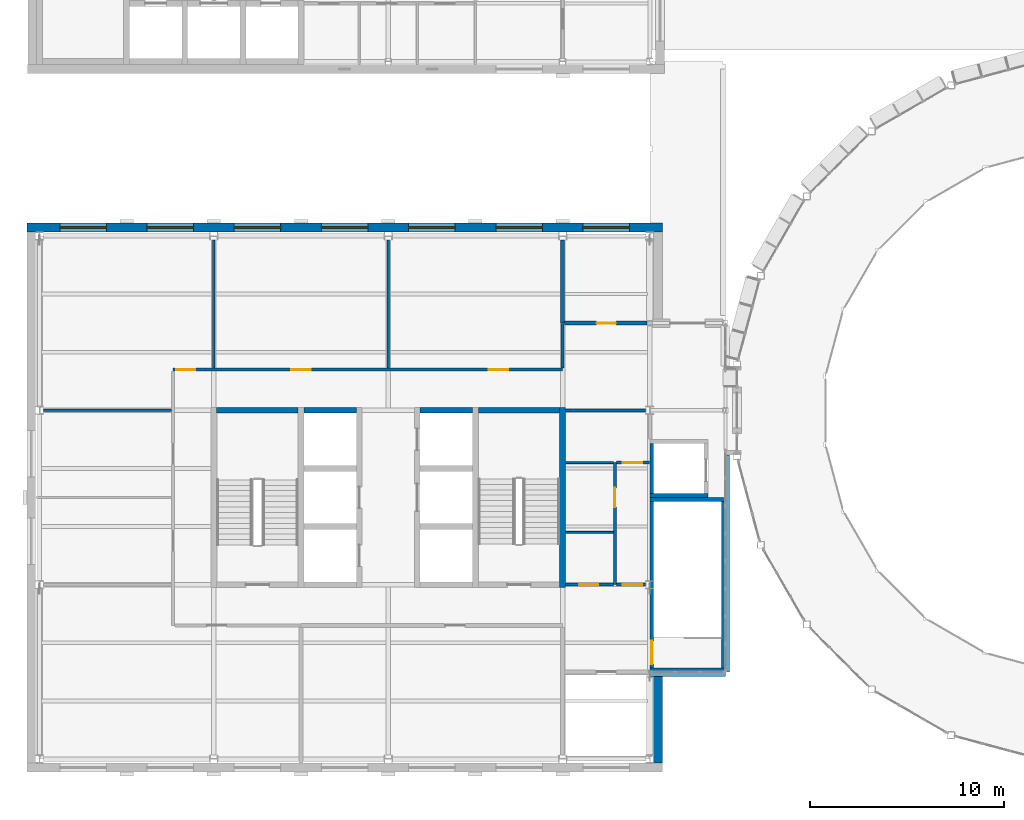
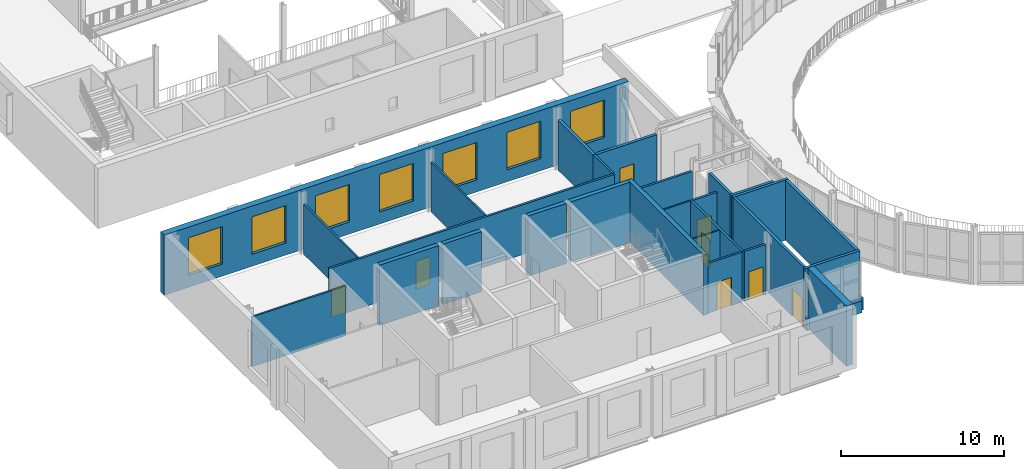
# One storey, part 41 of 74: 29 walls, 9 doors, 7 windows, 16 openings.
"""IFC4 building model written with IfcOpenShell, lengths in metres."""

from ifc_helpers import new_model, si_unit, direction, frame, frame_2d, origin, place, context, subcontext, project, spatial, rectangle, extrude, material, layer, layer_set, type_object, element, fill, save


model = new_model("IFC4")

# Units and contexts
model_context = context("Model", 3, precision=1e-05, world=origin(), true_north=direction((0.0, 1.0)))
body_context = subcontext(model_context, "Body", "Model", "MODEL_VIEW")
ifc_project = project(units=[si_unit("LENGTHUNIT", "METRE"), si_unit("AREAUNIT", "SQUARE_METRE"), si_unit("VOLUMEUNIT", "CUBIC_METRE"), si_unit("PLANEANGLEUNIT", "RADIAN"), si_unit("MASSUNIT", "GRAM", prefix="KILO")], contexts=[model_context])

# Site, building, storey
site_placement = place(None, origin())
site = spatial("IfcSite", under=ifc_project, at=site_placement, CompositionType="ELEMENT")
building_placement = place(site_placement, origin())
building = spatial("IfcBuilding", under=site, at=building_placement, Name="Hortulan Conservatory and Botanical Research Centre", CompositionType="ELEMENT")
storey_placement = place(building_placement, frame((0.0, 0.0, 6.0)))
storey = spatial("IfcBuildingStorey", under=building, at=storey_placement, Name="L01", CompositionType="ELEMENT", Elevation=6.0)

# Wall
ifc_material_1 = material(Name="Fire-rated plasterboard on steel studs", Category="steel")
ifc_layer_1 = layer(ifc_material_1, 0.199951171875)
ifc_layer_set_1 = layer_set([ifc_layer_1], Name="Compartment Partition 200")
wall_type_1 = type_object("IfcWallType", Name="Compartment Partition 200", PredefinedType="PARTITIONING", material=ifc_layer_set_1)
wall_1_placement = place(storey_placement, frame((27.0, 22.5, 0.0), z_axis=(0.0, 0.0, 1.0), x_axis=(0.0, 1.0, 0.0)))
element("IfcWall", 1, at=wall_1_placement, inside=storey, type_object=wall_type_1, Name="Store wall", PredefinedType="PARTITIONING", context=body_context, shape_type="SweptSolid", body=[
    extrude(rectangle(XDim=4.279052734375, YDim=0.199951171875, at=frame_2d((2.1396484375, 0.0))), origin(), (0.0, 0.0, 1.0), 3.718017578125),
])

# Wall, opening, door
wall_2_placement = place(storey_placement, frame((27.110107421875, 22.5, 0.0), z_axis=(0.0, 0.0, 1.0), x_axis=(1.0, 0.0, 0.0)))
wall_2 = element("IfcWall", 2, at=wall_2_placement, inside=storey, type_object=wall_type_1, Name="Store wall", PredefinedType="PARTITIONING", context=body_context, shape_type="SweptSolid", body=[
    extrude(rectangle(XDim=4.2548828125, YDim=0.199951171875, at=frame_2d((2.12744140625, 0.0))), origin(), (0.0, 0.0, 1.0), 3.718017578125),
])
opening_1_placement = place(wall_2_placement, frame((1.639892578125, 0.0, 0.0)))
opening_1 = element("IfcOpeningElement", 3, at=opening_1_placement, cuts=wall_2, Name="Opening DT6", PredefinedType="OPENING", context=body_context, shape_type="SweptSolid", body=[
    extrude(rectangle(XDim=1.0, YDim=2.10009765625, at=frame_2d((0.5, 1.050048828125))), frame((0.0, 0.10986328125, 0.0), z_axis=(0.0, -1.0, 0.0), x_axis=(1.0, 0.0, 0.0)), (0.0, 0.0, 1.0), 0.219970703125),
])
ifc_material_2 = material(Name="Steel door leaf, insulated", Category="steel")
door_type_1 = type_object("IfcDoorType", Name="Fire Door 1000x2100 FRL -/120/30", OperationType="NOTDEFINED", PredefinedType="DOOR", material=ifc_material_2)
door_1_placement = place(opening_1_placement, origin())
door_1 = element("IfcDoor", 4, at=door_1_placement, inside=storey, type_object=door_type_1, Name="Door DT6 Quarantine and Freezer Room", OperationType="SINGLE_SWING_RIGHT", OverallHeight=2.10009765625, OverallWidth=1.0, PredefinedType="DOOR", context=body_context, shape_type="SweptSolid", body=[
    extrude(rectangle(XDim=1.0, YDim=2.10009765625, at=frame_2d((0.5, 1.050048828125))), frame((0.0, 0.02490234375, 0.0), z_axis=(0.0, -1.0, 0.0), x_axis=(1.0, 0.0, 0.0)), (0.0, 0.0, 1.0), 0.050048828125),
])
fill(opening_1, door_1)

# Walls
ifc_material_3 = material(Name="Concrete N50 (50 MPa, AS 3600)", Category="concrete")
ifc_layer_2 = layer(ifc_material_3, 0.300048828125)
ifc_layer_set_2 = layer_set([ifc_layer_2], Name="Core Wall 300 N50 FRL 240/120/120")
wall_type_2 = type_object("IfcWallType", Name="Core Wall 300 N50 FRL 240/120/120", PredefinedType="SHEAR", material=ifc_layer_set_2)
wall_3_placement = place(storey_placement, frame((27.0, 8.85009765625, 0.0), z_axis=(0.0, 0.0, 1.0), x_axis=(0.0, 1.0, 0.0)))
element("IfcWall", 5, at=wall_3_placement, inside=storey, type_object=wall_type_2, Name="Reinforced concrete shaft wall", PredefinedType="SHEAR", context=body_context, shape_type="SweptSolid", body=[
    extrude(rectangle(XDim=9.2998046875, YDim=0.300048828125, at=frame_2d((4.64990234375, 0.0))), origin(), (0.0, 0.0, 1.0), 4.5),
])
wall_4_placement = place(storey_placement, frame((9.14990234375, 18.0, 0.0), z_axis=(0.0, 0.0, 1.0), x_axis=(1.0, 0.0, 0.0)))
element("IfcWall", 6, at=wall_4_placement, inside=storey, type_object=wall_type_2, Name="Reinforced concrete shaft wall", PredefinedType="SHEAR", context=body_context, shape_type="SweptSolid", body=[
    extrude(rectangle(XDim=4.2001953125, YDim=0.300048828125, at=frame_2d((2.10009765625, 0.0))), origin(), (0.0, 0.0, 1.0), 4.5),
])
for number, where, z_axis, x_axis, name in (
    (7, (13.64990234375, 18.0, 0.0), (0.0, 0.0, 1.0), (1.0, 0.0, 0.0), "Reinforced concrete shaft wall"),
    (8, (19.64990234375, 18.0, 0.0), (0.0, 0.0, 1.0), (1.0, 0.0, 0.0), "Reinforced concrete shaft wall"),
):
    element("IfcWall", number, at=place(storey_placement, frame(where, z_axis=z_axis, x_axis=x_axis)), inside=storey, type_object=wall_type_2, Name=name, PredefinedType="SHEAR", context=body_context, shape_type="SweptSolid", body=[
        extrude(rectangle(XDim=2.7001953125, YDim=0.300048828125, at=frame_2d((1.35009765625, 0.0))), origin(), (0.0, 0.0, 1.0), 4.5),
    ])
wall_5_placement = place(storey_placement, frame((22.64990234375, 18.0, 0.0), z_axis=(0.0, 0.0, 1.0), x_axis=(1.0, 0.0, 0.0)))
element("IfcWall", 9, at=wall_5_placement, inside=storey, type_object=wall_type_2, Name="Reinforced concrete shaft wall", PredefinedType="SHEAR", context=body_context, shape_type="SweptSolid", body=[
    extrude(rectangle(XDim=4.2001953125, YDim=0.300048828125, at=frame_2d((2.10009765625, 0.0))), origin(), (0.0, 0.0, 1.0), 4.5),
])
ifc_material_4 = material(Name="Plasterboard on steel studs", Category="steel")
ifc_layer_3 = layer(ifc_material_4, 0.14990234375)
ifc_layer_set_3 = layer_set([ifc_layer_3], Name="Corridor Partition 150")
wall_type_3 = type_object("IfcWallType", Name="Corridor Partition 150", PredefinedType="PARTITIONING", material=ifc_layer_set_3)
wall_6_placement = place(storey_placement, frame((27.0, 20.18505859375, 0.0), z_axis=(0.0, 0.0, 1.0), x_axis=(0.0, 1.0, 0.0)))
element("IfcWall", 10, at=wall_6_placement, inside=storey, type_object=wall_type_3, Name="Corridor partition", PredefinedType="PARTITIONING", context=body_context, shape_type="SweptSolid", body=[
    extrude(rectangle(XDim=2.304931640625, YDim=0.14990234375, at=frame_2d((1.15234375, 0.0))), origin(), (0.0, 0.0, 1.0), 3.718017578125),
])

# Wall, opening, door
wall_7_placement = place(storey_placement, frame((27.159912109375, 9.0, 0.0), z_axis=(0.0, 0.0, 1.0), x_axis=(1.0, 0.0, 0.0)))
wall_7 = element("IfcWall", 11, at=wall_7_placement, inside=storey, type_object=wall_type_3, Name="Corridor partition", PredefinedType="PARTITIONING", context=body_context, shape_type="SweptSolid", body=[
    extrude(rectangle(XDim=2.455078125, YDim=0.14990234375, at=frame_2d((1.2275390625, 0.0))), origin(), (0.0, 0.0, 1.0), 3.718017578125),
])
opening_2_placement = place(wall_7_placement, frame((0.68994140625, 0.0, 0.0)))
opening_2 = element("IfcOpeningElement", 12, at=opening_2_placement, cuts=wall_7, Name="Opening DT1", PredefinedType="OPENING", context=body_context, shape_type="SweptSolid", body=[
    extrude(rectangle(XDim=1.0, YDim=2.10009765625, at=frame_2d((0.5, 1.050048828125))), frame((0.0, 0.0849609375, 0.0), z_axis=(0.0, -1.0, 0.0), x_axis=(1.0, 0.0, 0.0)), (0.0, 0.0, 1.0), 0.169921875),
])
ifc_material_5 = material(Name="Timber door leaf in timber frame", Category="wood")
door_type_2 = type_object("IfcDoorType", Name="Single Door 1000x2100", OperationType="NOTDEFINED", PredefinedType="DOOR", material=ifc_material_5)
door_2_placement = place(opening_2_placement, origin())
door_2 = element("IfcDoor", 13, at=door_2_placement, inside=storey, type_object=door_type_2, Name="Door DT1 Accessible WC", OperationType="SINGLE_SWING_RIGHT", OverallHeight=2.10009765625, OverallWidth=1.0, PredefinedType="DOOR", context=body_context, shape_type="SweptSolid", body=[
    extrude(rectangle(XDim=1.0, YDim=2.10009765625, at=frame_2d((0.5, 1.050048828125))), frame((0.0, 0.02490234375, 0.0), z_axis=(0.0, -1.0, 0.0), x_axis=(1.0, 0.0, 0.0)), (0.0, 0.0, 1.0), 0.050048828125),
])
fill(opening_2, door_2)

# Wall
wall_8_placement = place(storey_placement, frame((27.159912109375, 18.0, 0.0), z_axis=(0.0, 0.0, 1.0), x_axis=(1.0, 0.0, 0.0)))
element("IfcWall", 14, at=wall_8_placement, inside=storey, type_object=wall_type_3, Name="Corridor partition", PredefinedType="PARTITIONING", context=body_context, shape_type="SweptSolid", body=[
    extrude(rectangle(XDim=4.130126953125, YDim=0.14990234375, at=frame_2d((2.06494140625, 0.0))), origin(), (0.0, 0.0, 1.0), 3.718017578125),
])

# Wall, openings, doors
wall_9_placement = place(storey_placement, frame((6.89990234375, 20.10009765625, 0.0), z_axis=(0.0, 0.0, 1.0), x_axis=(1.0, 0.0, 0.0)))
wall_9 = element("IfcWall", 15, at=wall_9_placement, inside=storey, type_object=wall_type_3, Name="Corridor partition", PredefinedType="PARTITIONING", context=body_context, shape_type="SweptSolid", body=[
    extrude(rectangle(XDim=20.10009765625, YDim=0.14990234375, at=frame_2d((10.050048828125, 0.0))), origin(), (0.0, 0.0, 1.0), 3.718017578125),
])
opening_3_placement = place(wall_9_placement, frame((0.14990234375, 0.0, 0.0)))
opening_3 = element("IfcOpeningElement", 16, at=opening_3_placement, cuts=wall_9, Name="Opening DT1", PredefinedType="OPENING", context=body_context, shape_type="SweptSolid", body=[
    extrude(rectangle(XDim=1.0, YDim=2.10009765625, at=frame_2d((0.5, 1.050048828125))), frame((0.0, 0.0849609375, 0.0), z_axis=(0.0, -1.0, 0.0), x_axis=(1.0, 0.0, 0.0)), (0.0, 0.0, 1.0), 0.169921875),
])
opening_4_placement = place(wall_9_placement, frame((6.10009765625, 0.0, 0.0)))
opening_4 = element("IfcOpeningElement", 17, at=opening_4_placement, cuts=wall_9, Name="Opening DT1", PredefinedType="OPENING", context=body_context, shape_type="SweptSolid", body=[
    extrude(rectangle(XDim=1.0, YDim=2.10009765625, at=frame_2d((0.5, 1.050048828125))), frame((0.0, 0.0849609375, 0.0), z_axis=(0.0, -1.0, 0.0), x_axis=(1.0, 0.0, 0.0)), (0.0, 0.0, 1.0), 0.169921875),
])
opening_5_placement = place(wall_9_placement, frame((16.300048828125, 0.0, 0.0)))
opening_5 = element("IfcOpeningElement", 18, at=opening_5_placement, cuts=wall_9, Name="Opening DT1", PredefinedType="OPENING", context=body_context, shape_type="SweptSolid", body=[
    extrude(rectangle(XDim=1.0, YDim=2.10009765625, at=frame_2d((0.5, 1.050048828125))), frame((0.0, 0.0849609375, 0.0), z_axis=(0.0, -1.0, 0.0), x_axis=(1.0, 0.0, 0.0)), (0.0, 0.0, 1.0), 0.169921875),
])
door_3_placement = place(opening_3_placement, origin())
door_3 = element("IfcDoor", 19, at=door_3_placement, inside=storey, type_object=door_type_2, Name="Door DT1 Herbarium Reading Room", OperationType="SINGLE_SWING_LEFT", OverallHeight=2.10009765625, OverallWidth=1.0, PredefinedType="DOOR", context=body_context, shape_type="SweptSolid", body=[
    extrude(rectangle(XDim=1.0, YDim=2.10009765625, at=frame_2d((0.5, 1.050048828125))), frame((0.0, 0.02490234375, 0.0), z_axis=(0.0, -1.0, 0.0), x_axis=(1.0, 0.0, 0.0)), (0.0, 0.0, 1.0), 0.050048828125),
])
fill(opening_3, door_3)
door_4_placement = place(opening_4_placement, origin())
door_4 = element("IfcDoor", 20, at=door_4_placement, inside=storey, type_object=door_type_2, Name="Door DT1 Herbarium Mounting Room", OperationType="SINGLE_SWING_RIGHT", OverallHeight=2.10009765625, OverallWidth=1.0, PredefinedType="DOOR", context=body_context, shape_type="SweptSolid", body=[
    extrude(rectangle(XDim=1.0, YDim=2.10009765625, at=frame_2d((0.5, 1.050048828125))), frame((0.0, 0.02490234375, 0.0), z_axis=(0.0, -1.0, 0.0), x_axis=(1.0, 0.0, 0.0)), (0.0, 0.0, 1.0), 0.050048828125),
])
fill(opening_4, door_4)
door_5_placement = place(opening_5_placement, origin())
door_5 = element("IfcDoor", 21, at=door_5_placement, inside=storey, type_object=door_type_2, Name="Door DT1 Specimen Preparation Room", OperationType="SINGLE_SWING_LEFT", OverallHeight=2.10009765625, OverallWidth=1.0, PredefinedType="DOOR", context=body_context, shape_type="SweptSolid", body=[
    extrude(rectangle(XDim=1.0, YDim=2.10009765625, at=frame_2d((0.5, 1.050048828125))), frame((0.0, 0.02490234375, 0.0), z_axis=(0.0, -1.0, 0.0), x_axis=(1.0, 0.0, 0.0)), (0.0, 0.0, 1.0), 0.050048828125),
])
fill(opening_5, door_5)

# Walls
ifc_material_6 = material(Name="Concrete N40 (40 MPa, AS 3600)", Category="concrete")
ifc_layer_4 = layer(ifc_material_6, 0.199951171875)
ifc_layer_set_4 = layer_set([ifc_layer_4], Name="Head Link Shaft Wall 200")
wall_type_4 = type_object("IfcWallType", Name="Head Link Shaft Wall 200", PredefinedType="SHEAR", material=ifc_layer_set_4)
for number, where, z_axis, x_axis, name in (
    (22, (31.5, 4.60009765625, 0.0), (0.0, 0.0, 1.0), (1.0, 0.0, 0.0), "HW stair shaft south wall L01"),
    (23, (31.5, 13.39990234375, 0.0), (0.0, 0.0, 1.0), (1.0, 0.0, 0.0), "HW stair shaft north wall L01"),
):
    element("IfcWall", number, at=place(storey_placement, frame(where, z_axis=z_axis, x_axis=x_axis)), inside=storey, type_object=wall_type_4, Name=name, PredefinedType="SHEAR", context=body_context, shape_type="SweptSolid", body=[
        extrude(rectangle(XDim=3.89990234375, YDim=0.199951171875, at=frame_2d((1.949951171875, 0.0))), origin(), (0.0, 0.0, 1.0), 4.5),
    ])

# Wall, opening, door
wall_10_placement = place(storey_placement, frame((31.60009765625, 4.699951171875, 0.0), z_axis=(0.0, 0.0, 1.0), x_axis=(0.0, 1.0, 0.0)))
wall_10 = element("IfcWall", 24, at=wall_10_placement, inside=storey, type_object=wall_type_4, Name="HW stair shaft west wall L01", PredefinedType="SHEAR", context=body_context, shape_type="SweptSolid", body=[
    extrude(rectangle(XDim=8.60009765625, YDim=0.199951171875, at=frame_2d((4.300048828125, 0.0))), origin(), (0.0, 0.0, 1.0), 4.5),
])
opening_6_placement = place(wall_10_placement, frame((0.199951171875, 0.0, 0.0)))
opening_6 = element("IfcOpeningElement", 25, at=opening_6_placement, cuts=wall_10, Name="Opening DT5", PredefinedType="OPENING", context=body_context, shape_type="SweptSolid", body=[
    extrude(rectangle(XDim=1.199951171875, YDim=2.10009765625, at=frame_2d((0.60009765625, 1.050048828125))), frame((0.0, 0.10986328125, 0.0), z_axis=(0.0, -1.0, 0.0), x_axis=(1.0, 0.0, 0.0)), (0.0, 0.0, 1.0), 0.219970703125),
])
door_type_3 = type_object("IfcDoorType", Name="Stair Door 1200x2100 FRL -/120/30", OperationType="NOTDEFINED", PredefinedType="DOOR", material=ifc_material_2)
door_6_placement = place(opening_6_placement, frame((1.199951171875, 0.0, 0.0), z_axis=(0.0, 0.0, 1.0), x_axis=(-1.0, 0.0, 0.0)))
door_6 = element("IfcDoor", 26, at=door_6_placement, inside=storey, type_object=door_type_3, Name="Stair door SHW L01 W to Corridor South", OperationType="SINGLE_SWING_RIGHT", OverallHeight=2.10009765625, OverallWidth=1.199951171875, PredefinedType="DOOR", context=body_context, shape_type="SweptSolid", body=[
    extrude(rectangle(XDim=1.199951171875, YDim=2.10009765625, at=frame_2d((0.60009765625, 1.050048828125))), frame((0.0, 0.02490234375, 0.0), z_axis=(0.0, -1.0, 0.0), x_axis=(1.0, 0.0, 0.0)), (0.0, 0.0, 1.0), 0.050048828125),
])
fill(opening_6, door_6)

# Walls
wall_11_placement = place(storey_placement, frame((35.300048828125, 4.699951171875, 0.0), z_axis=(0.0, 0.0, 1.0), x_axis=(0.0, 1.0, 0.0)))
element("IfcWall", 27, at=wall_11_placement, inside=storey, type_object=wall_type_4, Name="HW stair shaft east wall L01", PredefinedType="SHEAR", context=body_context, shape_type="SweptSolid", body=[
    extrude(rectangle(XDim=8.60009765625, YDim=0.199951171875, at=frame_2d((4.300048828125, 0.0))), origin(), (0.0, 0.0, 1.0), 4.5),
])
wall_12_placement = place(storey_placement, frame((31.5, 13.60009765625, 0.0), z_axis=(0.0, 0.0, 1.0), x_axis=(1.0, 0.0, 0.0)))
element("IfcWall", 28, at=wall_12_placement, inside=storey, type_object=wall_type_4, Name="HW lift shaft south wall L01", PredefinedType="SHEAR", context=body_context, shape_type="SweptSolid", body=[
    extrude(rectangle(XDim=3.0, YDim=0.199951171875, at=frame_2d((1.5, 0.0))), origin(), (0.0, 0.0, 1.0), 4.5),
])
wall_13_placement = place(storey_placement, frame((31.60009765625, 13.699951171875, 0.0), z_axis=(0.0, 0.0, 1.0), x_axis=(0.0, 1.0, 0.0)))
element("IfcWall", 29, at=wall_13_placement, inside=storey, type_object=wall_type_4, Name="HW lift shaft west wall L01", PredefinedType="SHEAR", context=body_context, shape_type="SweptSolid", body=[
    extrude(rectangle(XDim=2.60009765625, YDim=0.199951171875, at=frame_2d((1.300048828125, 0.0))), origin(), (0.0, 0.0, 1.0), 4.5),
])

# Wall, opening, door
ifc_layer_5 = layer(ifc_material_1, 0.14990234375)
ifc_layer_set_5 = layer_set([ifc_layer_5], Name="Lobby Partition 150")
wall_type_5 = type_object("IfcWallType", Name="Lobby Partition 150", PredefinedType="PARTITIONING", material=ifc_layer_set_5)
wall_14_placement = place(storey_placement, frame((29.699951171875, 9.0, 0.0), z_axis=(0.0, 0.0, 1.0), x_axis=(0.0, 1.0, 0.0)))
wall_14 = element("IfcWall", 30, at=wall_14_placement, inside=storey, type_object=wall_type_5, Name="Lobby partition", PredefinedType="PARTITIONING", context=body_context, shape_type="SweptSolid", body=[
    extrude(rectangle(XDim=6.300048828125, YDim=0.14990234375, at=frame_2d((3.14990234375, 0.0))), origin(), (0.0, 0.0, 1.0), 3.718017578125),
])
opening_7_placement = place(wall_14_placement, frame((4.0, 0.0, 0.0)))
opening_7 = element("IfcOpeningElement", 31, at=opening_7_placement, cuts=wall_14, Name="Opening DT4", PredefinedType="OPENING", context=body_context, shape_type="SweptSolid", body=[
    extrude(rectangle(XDim=1.0, YDim=2.10009765625, at=frame_2d((0.5, 1.050048828125))), frame((0.0, 0.0849609375, 0.0), z_axis=(0.0, -1.0, 0.0), x_axis=(1.0, 0.0, 0.0)), (0.0, 0.0, 1.0), 0.169921875),
])
door_type_4 = type_object("IfcDoorType", Name="Fire Door 1000x2100 FRL -/60/30", OperationType="NOTDEFINED", PredefinedType="DOOR", material=ifc_material_2)
door_7_placement = place(opening_7_placement, origin())
door_7 = element("IfcDoor", 32, at=door_7_placement, inside=storey, type_object=door_type_4, Name="Door DT4 Women's WC", OperationType="SINGLE_SWING_LEFT", OverallHeight=2.10009765625, OverallWidth=1.0, PredefinedType="DOOR", context=body_context, shape_type="SweptSolid", body=[
    extrude(rectangle(XDim=1.0, YDim=2.10009765625, at=frame_2d((0.5, 1.050048828125))), frame((0.0, 0.02490234375, 0.0), z_axis=(0.0, -1.0, 0.0), x_axis=(1.0, 0.0, 0.0)), (0.0, 0.0, 1.0), 0.050048828125),
])
fill(opening_7, door_7)

wall_15_placement = place(storey_placement, frame((29.784912109375, 9.0, 0.0), z_axis=(0.0, 0.0, 1.0), x_axis=(1.0, 0.0, 0.0)))
wall_15 = element("IfcWall", 33, at=wall_15_placement, inside=storey, type_object=wall_type_5, Name="Lobby partition", PredefinedType="PARTITIONING", context=body_context, shape_type="SweptSolid", body=[
    extrude(rectangle(XDim=1.505126953125, YDim=0.14990234375, at=frame_2d((0.75244140625, 0.0))), origin(), (0.0, 0.0, 1.0), 3.718017578125),
])
opening_8_placement = place(wall_15_placement, frame((0.31494140625, 0.0, 0.0)))
opening_8 = element("IfcOpeningElement", 34, at=opening_8_placement, cuts=wall_15, Name="Opening DT4", PredefinedType="OPENING", context=body_context, shape_type="SweptSolid", body=[
    extrude(rectangle(XDim=1.0, YDim=2.10009765625, at=frame_2d((0.5, 1.050048828125))), frame((0.0, 0.0849609375, 0.0), z_axis=(0.0, -1.0, 0.0), x_axis=(1.0, 0.0, 0.0)), (0.0, 0.0, 1.0), 0.169921875),
])
door_8_placement = place(opening_8_placement, origin())
door_8 = element("IfcDoor", 35, at=door_8_placement, inside=storey, type_object=door_type_4, Name="Door DT4 WC Lobby", OperationType="SINGLE_SWING_LEFT", OverallHeight=2.10009765625, OverallWidth=1.0, PredefinedType="DOOR", context=body_context, shape_type="SweptSolid", body=[
    extrude(rectangle(XDim=1.0, YDim=2.10009765625, at=frame_2d((0.5, 1.050048828125))), frame((0.0, 0.02490234375, 0.0), z_axis=(0.0, -1.0, 0.0), x_axis=(1.0, 0.0, 0.0)), (0.0, 0.0, 1.0), 0.050048828125),
])
fill(opening_8, door_8)

wall_16_placement = place(storey_placement, frame((29.784912109375, 15.300048828125, 0.0), z_axis=(0.0, 0.0, 1.0), x_axis=(1.0, 0.0, 0.0)))
wall_16 = element("IfcWall", 36, at=wall_16_placement, inside=storey, type_object=wall_type_5, Name="Lobby partition", PredefinedType="PARTITIONING", context=body_context, shape_type="SweptSolid", body=[
    extrude(rectangle(XDim=1.705078125, YDim=0.14990234375, at=frame_2d((0.8525390625, 0.0))), origin(), (0.0, 0.0, 1.0), 3.718017578125),
])
opening_9_placement = place(wall_16_placement, frame((0.31494140625, 0.0, 0.0)))
opening_9 = element("IfcOpeningElement", 37, at=opening_9_placement, cuts=wall_16, Name="Opening DT4", PredefinedType="OPENING", context=body_context, shape_type="SweptSolid", body=[
    extrude(rectangle(XDim=1.0, YDim=2.10009765625, at=frame_2d((0.5, 1.050048828125))), frame((0.0, 0.0849609375, 0.0), z_axis=(0.0, -1.0, 0.0), x_axis=(1.0, 0.0, 0.0)), (0.0, 0.0, 1.0), 0.169921875),
])
door_9_placement = place(opening_9_placement, origin())
door_9 = element("IfcDoor", 38, at=door_9_placement, inside=storey, type_object=door_type_4, Name="Door DT4 Men's WC", OperationType="SINGLE_SWING_RIGHT", OverallHeight=2.10009765625, OverallWidth=1.0, PredefinedType="DOOR", context=body_context, shape_type="SweptSolid", body=[
    extrude(rectangle(XDim=1.0, YDim=2.10009765625, at=frame_2d((0.5, 1.050048828125))), frame((0.0, 0.02490234375, 0.0), z_axis=(0.0, -1.0, 0.0), x_axis=(1.0, 0.0, 0.0)), (0.0, 0.0, 1.0), 0.050048828125),
])
fill(opening_9, door_9)

# Walls
ifc_layer_6 = layer(ifc_material_4, 0.125)
ifc_layer_set_6 = layer_set([ifc_layer_6], Name="Partition 125")
wall_type_6 = type_object("IfcWallType", Name="Partition 125", PredefinedType="PARTITIONING", material=ifc_layer_set_6)
for number, where, z_axis, x_axis, name in (
    (39, (9.0, 20.18505859375, 0.0), (0.0, 0.0, 1.0), (0.0, 1.0, 0.0), "Partition"),
    (40, (18.0, 20.18505859375, 0.0), (0.0, 0.0, 1.0), (0.0, 1.0, 0.0), "Partition"),
):
    element("IfcWall", number, at=place(storey_placement, frame(where, z_axis=z_axis, x_axis=x_axis)), inside=storey, type_object=wall_type_6, Name=name, PredefinedType="PARTITIONING", context=body_context, shape_type="SweptSolid", body=[
        extrude(rectangle(XDim=6.593994140625, YDim=0.125, at=frame_2d((3.296875, 0.0))), origin(), (0.0, 0.0, 1.0), 3.718017578125),
    ])
wall_17_placement = place(storey_placement, frame((0.2099609375, 18.0, 0.0), z_axis=(0.0, 0.0, 1.0), x_axis=(1.0, 0.0, 0.0)))
element("IfcWall", 41, at=wall_17_placement, inside=storey, type_object=wall_type_6, Name="Partition", PredefinedType="PARTITIONING", context=body_context, shape_type="SweptSolid", body=[
    extrude(rectangle(XDim=6.60498046875, YDim=0.125, at=frame_2d((3.302490234375, 0.0))), origin(), (0.0, 0.0, 1.0), 3.718017578125),
])
ifc_material_7 = material(Name="Sandstone masonry (Hawkesbury yellow block)", Category="masonry")
ifc_layer_7 = layer(ifc_material_7, 0.22509765625)
ifc_layer_set_7 = layer_set([ifc_layer_7], Name="Sandstone Masonry Cavity Wall 225")
wall_type_7 = type_object("IfcWallType", Name="Sandstone Masonry Cavity Wall 225", PredefinedType="STANDARD", material=ifc_layer_set_7)
wall_18_placement = place(storey_placement, frame((35.39990234375, 4.387451171875, 0.0), z_axis=(0.0, 0.0, 1.0), x_axis=(-1.0, 0.0, 0.0)))
element("IfcWall", 42, at=wall_18_placement, inside=storey, type_object=wall_type_7, Name="Plinth wall", PredefinedType="STANDARD", context=body_context, shape_type="SweptSolid", body=[
    extrude(rectangle(XDim=3.89990234375, YDim=0.22509765625, at=frame_2d((1.949951171875, 0.0))), origin(), (0.0, 0.0, 1.0), 0.89990234375),
])
wall_19_placement = place(storey_placement, frame((35.512451171875, 15.705322265625, 0.0), z_axis=(0.0, 0.0, 1.0), x_axis=(0.0, -1.0, 0.0)))
element("IfcWall", 43, at=wall_19_placement, inside=storey, type_object=wall_type_7, Name="Plinth wall", PredefinedType="STANDARD", context=body_context, shape_type="SweptSolid", body=[
    extrude(rectangle(XDim=11.205322265625, YDim=0.22509765625, at=frame_2d((5.6025390625, 0.0))), origin(), (0.0, 0.0, 1.0), 0.89990234375),
])

# Wall, openings, windows
ifc_layer_8 = layer(ifc_material_7, 0.449951171875)
ifc_layer_set_8 = layer_set([ifc_layer_8], Name="Sandstone Masonry Cavity Wall 450")
wall_type_8 = type_object("IfcWallType", Name="Sandstone Masonry Cavity Wall 450", PredefinedType="STANDARD", material=ifc_layer_set_8)
wall_20_placement = place(storey_placement, frame((-0.64990234375, 27.43603515625, 0.0), z_axis=(0.0, 0.0, 1.0), x_axis=(1.0, 0.0, 0.0)))
wall_20 = element("IfcWall", 44, at=wall_20_placement, inside=storey, type_object=wall_type_8, Name="E-EW-TW-L01-N3", PredefinedType="STANDARD", context=body_context, shape_type="SweptSolid", body=[
    extrude(rectangle(XDim=32.7998046875, YDim=0.449951171875, at=frame_2d((16.39990234375, 0.0))), origin(), (0.0, 0.0, 1.0), 4.5),
])
opening_10_placement = place(wall_20_placement, frame((1.699951171875, 0.0, 0.89990234375)))
opening_10 = element("IfcOpeningElement", 45, at=opening_10_placement, cuts=wall_20, Name="Opening W2", PredefinedType="OPENING", context=body_context, shape_type="SweptSolid", body=[
    extrude(rectangle(XDim=2.39990234375, YDim=2.800048828125, at=frame_2d((1.199951171875, 1.39990234375))), frame((0.0, 0.23486328125, 0.0), z_axis=(0.0, -1.0, 0.0), x_axis=(1.0, 0.0, 0.0)), (0.0, 0.0, 1.0), 0.469970703125),
])
opening_11_placement = place(wall_20_placement, frame((6.199951171875, 0.0, 0.89990234375)))
opening_11 = element("IfcOpeningElement", 46, at=opening_11_placement, cuts=wall_20, Name="Opening W2", PredefinedType="OPENING", context=body_context, shape_type="SweptSolid", body=[
    extrude(rectangle(XDim=2.39990234375, YDim=2.800048828125, at=frame_2d((1.199951171875, 1.39990234375))), frame((0.0, 0.23486328125, 0.0), z_axis=(0.0, -1.0, 0.0), x_axis=(1.0, 0.0, 0.0)), (0.0, 0.0, 1.0), 0.469970703125),
])
opening_12_placement = place(wall_20_placement, frame((10.699951171875, 0.0, 0.89990234375)))
opening_12 = element("IfcOpeningElement", 47, at=opening_12_placement, cuts=wall_20, Name="Opening W2", PredefinedType="OPENING", context=body_context, shape_type="SweptSolid", body=[
    extrude(rectangle(XDim=2.39990234375, YDim=2.800048828125, at=frame_2d((1.199951171875, 1.39990234375))), frame((0.0, 0.23486328125, 0.0), z_axis=(0.0, -1.0, 0.0), x_axis=(1.0, 0.0, 0.0)), (0.0, 0.0, 1.0), 0.469970703125),
])
opening_13_placement = place(wall_20_placement, frame((15.199951171875, 0.0, 0.89990234375)))
opening_13 = element("IfcOpeningElement", 48, at=opening_13_placement, cuts=wall_20, Name="Opening W2", PredefinedType="OPENING", context=body_context, shape_type="SweptSolid", body=[
    extrude(rectangle(XDim=2.39990234375, YDim=2.800048828125, at=frame_2d((1.199951171875, 1.39990234375))), frame((0.0, 0.23486328125, 0.0), z_axis=(0.0, -1.0, 0.0), x_axis=(1.0, 0.0, 0.0)), (0.0, 0.0, 1.0), 0.469970703125),
])
opening_14_placement = place(wall_20_placement, frame((19.699951171875, 0.0, 0.89990234375)))
opening_14 = element("IfcOpeningElement", 49, at=opening_14_placement, cuts=wall_20, Name="Opening W2", PredefinedType="OPENING", context=body_context, shape_type="SweptSolid", body=[
    extrude(rectangle(XDim=2.39990234375, YDim=2.800048828125, at=frame_2d((1.199951171875, 1.39990234375))), frame((0.0, 0.23486328125, 0.0), z_axis=(0.0, -1.0, 0.0), x_axis=(1.0, 0.0, 0.0)), (0.0, 0.0, 1.0), 0.469970703125),
])
opening_15_placement = place(wall_20_placement, frame((24.199951171875, 0.0, 0.89990234375)))
opening_15 = element("IfcOpeningElement", 50, at=opening_15_placement, cuts=wall_20, Name="Opening W2", PredefinedType="OPENING", context=body_context, shape_type="SweptSolid", body=[
    extrude(rectangle(XDim=2.39990234375, YDim=2.800048828125, at=frame_2d((1.199951171875, 1.39990234375))), frame((0.0, 0.23486328125, 0.0), z_axis=(0.0, -1.0, 0.0), x_axis=(1.0, 0.0, 0.0)), (0.0, 0.0, 1.0), 0.469970703125),
])
opening_16_placement = place(wall_20_placement, frame((28.699951171875, 0.0, 0.89990234375)))
opening_16 = element("IfcOpeningElement", 51, at=opening_16_placement, cuts=wall_20, Name="Opening W2", PredefinedType="OPENING", context=body_context, shape_type="SweptSolid", body=[
    extrude(rectangle(XDim=2.39990234375, YDim=2.800048828125, at=frame_2d((1.199951171875, 1.39990234375))), frame((0.0, 0.23486328125, 0.0), z_axis=(0.0, -1.0, 0.0), x_axis=(1.0, 0.0, 0.0)), (0.0, 0.0, 1.0), 0.469970703125),
])
ifc_material_8 = material(Name="Bronze-finished aluminium frame with low-e laminated double glazing", Category="aluminium")
window_type = type_object("IfcWindowType", Name="Sandstone Window 2400x2800", PartitioningType="SINGLE_PANEL", PredefinedType="WINDOW", material=ifc_material_8)
window_1_placement = place(opening_10_placement, origin())
window_1 = element("IfcWindow", 52, at=window_1_placement, inside=storey, type_object=window_type, Name="Sandstone window", OverallHeight=2.800048828125, OverallWidth=2.39990234375, PartitioningType="SINGLE_PANEL", PredefinedType="WINDOW", context=body_context, shape_type="SweptSolid", body=[
    extrude(rectangle(XDim=2.39990234375, YDim=2.800048828125, at=frame_2d((1.199951171875, 1.39990234375))), frame((0.0, 0.030029296875, 0.0), z_axis=(0.0, -1.0, 0.0), x_axis=(1.0, 0.0, 0.0)), (0.0, 0.0, 1.0), 0.06005859375),
])
fill(opening_10, window_1)
window_2_placement = place(opening_11_placement, origin())
window_2 = element("IfcWindow", 53, at=window_2_placement, inside=storey, type_object=window_type, Name="Sandstone window", OverallHeight=2.800048828125, OverallWidth=2.39990234375, PartitioningType="SINGLE_PANEL", PredefinedType="WINDOW", context=body_context, shape_type="SweptSolid", body=[
    extrude(rectangle(XDim=2.39990234375, YDim=2.800048828125, at=frame_2d((1.199951171875, 1.39990234375))), frame((0.0, 0.030029296875, 0.0), z_axis=(0.0, -1.0, 0.0), x_axis=(1.0, 0.0, 0.0)), (0.0, 0.0, 1.0), 0.06005859375),
])
fill(opening_11, window_2)
window_3_placement = place(opening_12_placement, origin())
window_3 = element("IfcWindow", 54, at=window_3_placement, inside=storey, type_object=window_type, Name="Sandstone window", OverallHeight=2.800048828125, OverallWidth=2.39990234375, PartitioningType="SINGLE_PANEL", PredefinedType="WINDOW", context=body_context, shape_type="SweptSolid", body=[
    extrude(rectangle(XDim=2.39990234375, YDim=2.800048828125, at=frame_2d((1.199951171875, 1.39990234375))), frame((0.0, 0.030029296875, 0.0), z_axis=(0.0, -1.0, 0.0), x_axis=(1.0, 0.0, 0.0)), (0.0, 0.0, 1.0), 0.06005859375),
])
fill(opening_12, window_3)
window_4_placement = place(opening_13_placement, origin())
window_4 = element("IfcWindow", 55, at=window_4_placement, inside=storey, type_object=window_type, Name="Sandstone window", OverallHeight=2.800048828125, OverallWidth=2.39990234375, PartitioningType="SINGLE_PANEL", PredefinedType="WINDOW", context=body_context, shape_type="SweptSolid", body=[
    extrude(rectangle(XDim=2.39990234375, YDim=2.800048828125, at=frame_2d((1.199951171875, 1.39990234375))), frame((0.0, 0.030029296875, 0.0), z_axis=(0.0, -1.0, 0.0), x_axis=(1.0, 0.0, 0.0)), (0.0, 0.0, 1.0), 0.06005859375),
])
fill(opening_13, window_4)
window_5_placement = place(opening_14_placement, origin())
window_5 = element("IfcWindow", 56, at=window_5_placement, inside=storey, type_object=window_type, Name="Sandstone window", OverallHeight=2.800048828125, OverallWidth=2.39990234375, PartitioningType="SINGLE_PANEL", PredefinedType="WINDOW", context=body_context, shape_type="SweptSolid", body=[
    extrude(rectangle(XDim=2.39990234375, YDim=2.800048828125, at=frame_2d((1.199951171875, 1.39990234375))), frame((0.0, 0.030029296875, 0.0), z_axis=(0.0, -1.0, 0.0), x_axis=(1.0, 0.0, 0.0)), (0.0, 0.0, 1.0), 0.06005859375),
])
fill(opening_14, window_5)
window_6_placement = place(opening_15_placement, origin())
window_6 = element("IfcWindow", 57, at=window_6_placement, inside=storey, type_object=window_type, Name="Sandstone window", OverallHeight=2.800048828125, OverallWidth=2.39990234375, PartitioningType="SINGLE_PANEL", PredefinedType="WINDOW", context=body_context, shape_type="SweptSolid", body=[
    extrude(rectangle(XDim=2.39990234375, YDim=2.800048828125, at=frame_2d((1.199951171875, 1.39990234375))), frame((0.0, 0.030029296875, 0.0), z_axis=(0.0, -1.0, 0.0), x_axis=(1.0, 0.0, 0.0)), (0.0, 0.0, 1.0), 0.06005859375),
])
fill(opening_15, window_6)
window_7_placement = place(opening_16_placement, origin())
window_7 = element("IfcWindow", 58, at=window_7_placement, inside=storey, type_object=window_type, Name="Sandstone window", OverallHeight=2.800048828125, OverallWidth=2.39990234375, PartitioningType="SINGLE_PANEL", PredefinedType="WINDOW", context=body_context, shape_type="SweptSolid", body=[
    extrude(rectangle(XDim=2.39990234375, YDim=2.800048828125, at=frame_2d((1.199951171875, 1.39990234375))), frame((0.0, 0.030029296875, 0.0), z_axis=(0.0, -1.0, 0.0), x_axis=(1.0, 0.0, 0.0)), (0.0, 0.0, 1.0), 0.06005859375),
])
fill(opening_16, window_7)

# Walls
wall_21_placement = place(storey_placement, frame((31.925048828125, 4.5, 0.0), z_axis=(0.0, 0.0, 1.0), x_axis=(0.0, -1.0, 0.0)))
element("IfcWall", 59, at=wall_21_placement, inside=storey, type_object=wall_type_8, Name="E-EW-TW-L01-E4p1", PredefinedType="STANDARD", context=body_context, shape_type="SweptSolid", body=[
    extrude(rectangle(XDim=4.699951171875, YDim=0.449951171875, at=frame_2d((2.35009765625, 0.0))), origin(), (0.0, 0.0, 1.0), 4.5),
])
ifc_material_9 = material(Name="Moisture-resistant plasterboard on steel studs", Category="steel")
ifc_layer_9 = layer(ifc_material_9, 0.10009765625)
ifc_layer_set_9 = layer_set([ifc_layer_9], Name="Wet Area Partition 100")
wall_type_9 = type_object("IfcWallType", Name="Wet Area Partition 100", PredefinedType="PARTITIONING", material=ifc_layer_set_9)
for number, where, z_axis, x_axis, name in (
    (60, (27.159912109375, 11.699951171875, 0.0), (0.0, 0.0, 1.0), (1.0, 0.0, 0.0), "Toilet partition"),
    (61, (27.159912109375, 15.300048828125, 0.0), (0.0, 0.0, 1.0), (1.0, 0.0, 0.0), "Toilet partition"),
):
    element("IfcWall", number, at=place(storey_placement, frame(where, z_axis=z_axis, x_axis=x_axis)), inside=storey, type_object=wall_type_9, Name=name, PredefinedType="PARTITIONING", context=body_context, shape_type="SweptSolid", body=[
        extrude(rectangle(XDim=2.455078125, YDim=0.10009765625, at=frame_2d((1.2275390625, 0.0))), origin(), (0.0, 0.0, 1.0), 3.718017578125),
    ])

save(model, "model.ifc")
